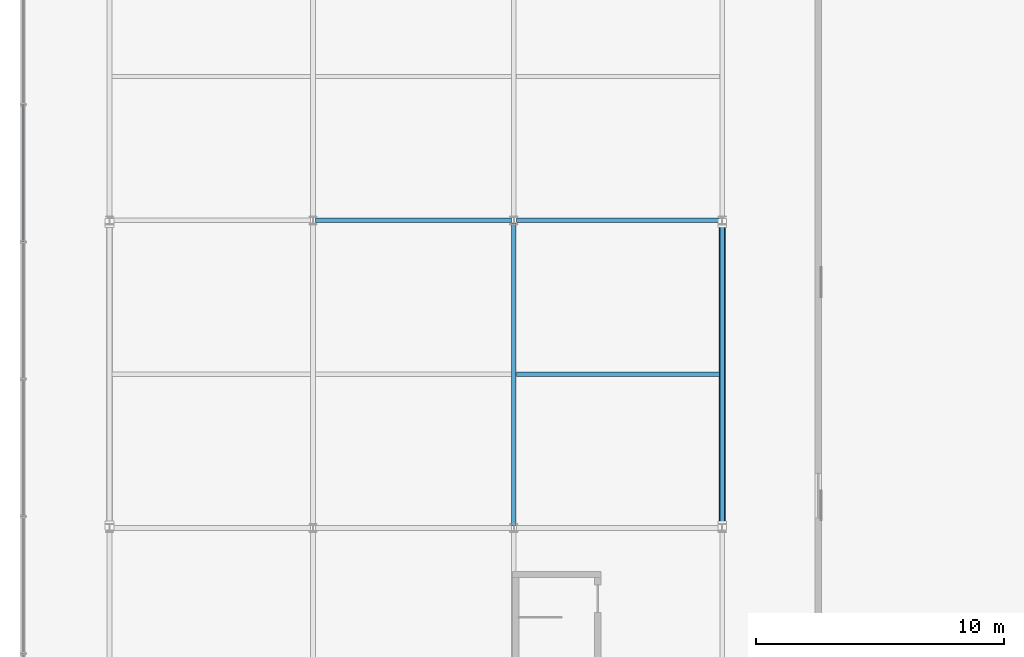
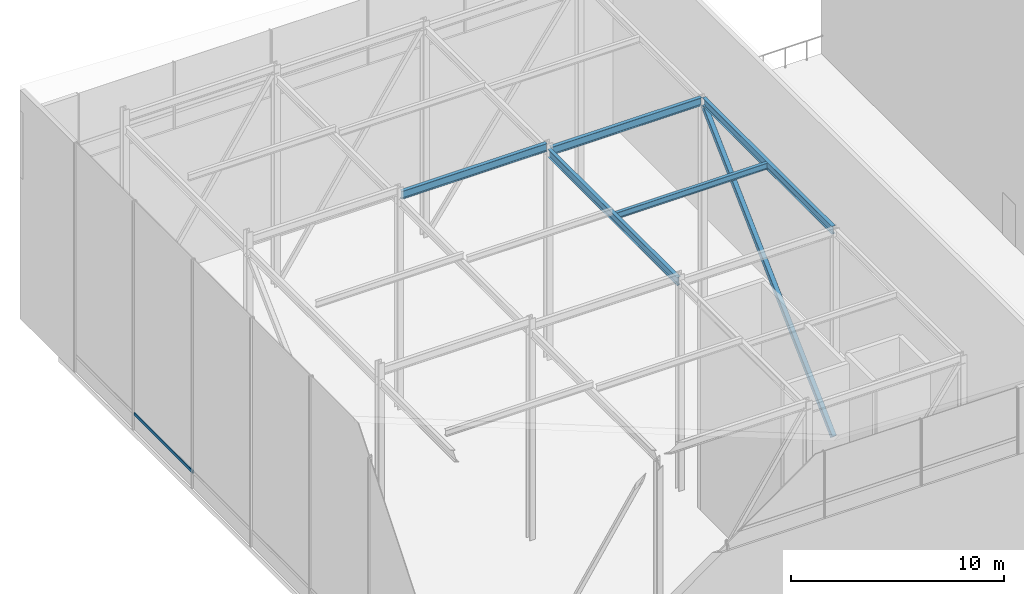
# One storey, part 13 of 39: 5 beams, 2 members, 1 element without a shape of its own.
"""IFC4 building model written with IfcOpenShell, lengths in metres."""

from ifc_helpers import new_model, si_unit, direction, frame, origin, origin_2d, place, context, subcontext, project, spatial, hollow_rectangle, i_section, extrude, material, layer, layer_set, material_profile, profile_set, type_object, element, aggregate, save


model = new_model("IFC4")

# Units and contexts
model_context = context("Model", 3, precision=1e-05, world=origin(), true_north=direction((0.0, 1.0)))
body_context = subcontext(model_context, "Body", "Model", "MODEL_VIEW")
ifc_project = project(units=[si_unit("LENGTHUNIT", "METRE"), si_unit("AREAUNIT", "SQUARE_METRE"), si_unit("VOLUMEUNIT", "CUBIC_METRE"), si_unit("PLANEANGLEUNIT", "RADIAN"), si_unit("MASSUNIT", "GRAM", prefix="KILO")], contexts=[model_context])

# Site, building, storey
site_placement = place(None, origin())
site = spatial("IfcSite", under=ifc_project, at=site_placement, CompositionType="ELEMENT")
building_placement = place(site_placement, origin())
building = spatial("IfcBuilding", under=site, at=building_placement, Name="Korimba Cascade Residences", CompositionType="ELEMENT")
storey_placement = place(building_placement, frame((0.0, 0.0, 264.199951171875)))
storey = spatial("IfcBuildingStorey", under=building, at=storey_placement, Name="RF", CompositionType="ELEMENT", Elevation=264.199951171875)

# Beams
ifc_material_1 = material(Name="Steel S355", Category="steel")
ifc_material_profile_1 = material_profile(ifc_material_1, i_section(OverallWidth=0.172119140625, OverallDepth=0.35791015625, WebThickness=0.008056640625, FlangeThickness=0.012939453125, FilletRadius=0.01025390625, at=origin_2d()), Name="Steel S355")
ifc_profile_set_1 = profile_set([ifc_material_profile_1], Name="Steel S355")
beam_type_1 = type_object("IfcBeamType", Name="BM-STL-UB356", PredefinedType="JOIST", material=ifc_profile_set_1)
beam_1_placement = place(storey_placement, frame((76.199951171875, 73.39990234375, 11.919677734375), z_axis=(1.0, 0.0, 0.0), x_axis=(0.0, 1.0, 0.0)))
element("IfcBeam", 1, at=beam_1_placement, inside=storey, type_object=beam_type_1, Name="RF Crown Cap Joist W2.3", PredefinedType="JOIST", context=body_context, shape_type="SweptSolid", body=[
    extrude(i_section(OverallWidth=0.172119140625, OverallDepth=0.35791015625, WebThickness=0.008056640625, FlangeThickness=0.012939453125, FilletRadius=0.01025390625, at=origin_2d()), origin(), (0.0, 0.0, 1.0), 8.199951171875),
])
ifc_material_profile_2 = material_profile(ifc_material_1, i_section(OverallWidth=0.19140625, OverallDepth=0.4599609375, WebThickness=0.010009765625, FlangeThickness=0.01611328125, FilletRadius=0.01025390625, at=origin_2d()), Name="Steel S355")
ifc_profile_set_2 = profile_set([ifc_material_profile_2], Name="Steel S355")
beam_type_2 = type_object("IfcBeamType", Name="BM-STL-UB457", PredefinedType="JOIST", material=ifc_profile_set_2)
beam_2_placement = place(storey_placement, frame((68.10498046875, 79.60009765625, 12.1806640625), z_axis=(1.0, 0.0, 0.0), x_axis=(0.0, 1.0, 0.0)))
element("IfcBeam", 2, at=beam_2_placement, inside=storey, type_object=beam_type_2, Name="RF Crown Cap Ring Beam W3.2", PredefinedType="JOIST", context=body_context, shape_type="SweptSolid", body=[
    extrude(i_section(OverallWidth=0.19140625, OverallDepth=0.4599609375, WebThickness=0.010009765625, FlangeThickness=0.01611328125, FilletRadius=0.01025390625, at=origin_2d()), origin(), (0.0, 0.0, 1.0), 7.89013671875),
])
beam_3_placement = place(storey_placement, frame((76.205078125, 79.60009765625, 11.86865234375), z_axis=(1.0, 0.0, 0.0), x_axis=(0.0, 1.0, 0.0)))
element("IfcBeam", 3, at=beam_3_placement, inside=storey, type_object=beam_type_2, Name="RF Crown Cap Ring Beam W3.3", PredefinedType="JOIST", context=body_context, shape_type="SweptSolid", body=[
    extrude(i_section(OverallWidth=0.19140625, OverallDepth=0.4599609375, WebThickness=0.010009765625, FlangeThickness=0.01611328125, FilletRadius=0.01025390625, at=origin_2d()), origin(), (0.0, 0.0, 1.0), 8.18994140625),
])
for number, where, z_axis, x_axis, name in (
    (4, (76.10009765625, 67.304931640625, 11.86865234375), (0.0, 1.0, 0.0), (-1.0, 0.0, 0.0), "RF Crown Cap Tie Beam W3.2"),
    (5, (84.5, 67.304931640625, 11.86865234375), (0.0, 1.0, 0.0), (-1.0, 0.0, 0.0), "RF Crown Cap Tie Beam W4.2"),
):
    element("IfcBeam", number, at=place(storey_placement, frame(where, z_axis=z_axis, x_axis=x_axis)), inside=storey, type_object=beam_type_2, Name=name, PredefinedType="JOIST", context=body_context, shape_type="SweptSolid", body=[
        extrude(i_section(OverallWidth=0.19140625, OverallDepth=0.4599609375, WebThickness=0.010009765625, FlangeThickness=0.01611328125, FilletRadius=0.01025390625, at=origin_2d()), origin(), (0.0, 0.0, 1.0), 12.190185546875),
    ])

# Curtain wall, member
ifc_material_2 = material(Name="Anodised Aluminium Curtain Wall Framing", Category="aluminium")
ifc_layer = layer(ifc_material_2, 0.179931640625)
ifc_layer_set = layer_set([ifc_layer], Name="Anodised Aluminium Curtain Wall Framing")
curtain_wall_type = type_object("IfcCurtainWallType", Name="CW-CRNW-SYS5", PredefinedType="NOTDEFINED", material=ifc_layer_set)
curtain_wall_placement = place(storey_placement, origin())
curtain_wall = element("IfcCurtainWall", 6, at=curtain_wall_placement, inside=storey, type_object=curtain_wall_type, Name="RF Curtain Wall CW-RF-CRN-W-1", PredefinedType="NOTDEFINED")
ifc_material_3 = material(Name="Anodised Aluminium Transom", Category="aluminium")
ifc_material_profile_3 = material_profile(ifc_material_3, hollow_rectangle(XDim=0.070068359375, YDim=0.179931640625, WallThickness=0.0048828125, InnerFilletRadius=0.0048828125, OuterFilletRadius=0.010009765625, at=origin_2d()), Name="Anodised Aluminium Transom")
ifc_profile_set_3 = profile_set([ifc_material_profile_3], Name="Anodised Aluminium Transom")
member_type_1 = type_object("IfcMemberType", Name="CWM-TRN-150", PredefinedType="USERDEFINED", material=ifc_profile_set_3)
member_1_placement = place(storey_placement, frame((56.324951171875, 78.7333984375, 0.900146484375), z_axis=(0.0, 1.0, 0.0), x_axis=(-1.0, 0.0, 0.0)))
member_1 = element("IfcMember", 7, at=member_1_placement, type_object=member_type_1, Name="CW-RF-CRN-W-1 Transom 5", ObjectType="TRANSOM", PredefinedType="USERDEFINED", context=body_context, shape_type="SweptSolid", body=[
    extrude(hollow_rectangle(XDim=0.070068359375, YDim=0.179931640625, WallThickness=0.0048828125, InnerFilletRadius=0.0048828125, OuterFilletRadius=0.010009765625, at=origin_2d()), origin(), (0.0, 0.0, 1.0), 5.533203125),
])
aggregate(curtain_wall, [member_1])

# Member
ifc_material_profile_4 = material_profile(ifc_material_1, hollow_rectangle(XDim=0.25, YDim=0.25, WallThickness=0.010009765625, InnerFilletRadius=0.010009765625, OuterFilletRadius=0.02001953125, at=origin_2d()), Name="Steel S355")
ifc_profile_set_4 = profile_set([ifc_material_profile_4], Name="Steel S355")
member_type_2 = type_object("IfcMemberType", Name="MEM-CRN-SHS250", PredefinedType="STRUT", material=ifc_profile_set_4)
member_2_placement = place(storey_placement, frame((84.5, 67.304931640625, 0.0), z_axis=(0.0, 0.723105293086, 0.690737819372), x_axis=(-1.0, 0.0, 0.0)))
element("IfcMember", 8, at=member_2_placement, inside=storey, type_object=member_type_2, Name="RF CROWN FRAME Strut W4", PredefinedType="STRUT", context=body_context, shape_type="SweptSolid", body=[
    extrude(hollow_rectangle(XDim=0.25, YDim=0.25, WallThickness=0.010009765625, InnerFilletRadius=0.010009765625, OuterFilletRadius=0.02001953125, at=origin_2d()), origin(), (0.0, 0.0, 1.0), 16.858154296875),
])

save(model, "model.ifc")
